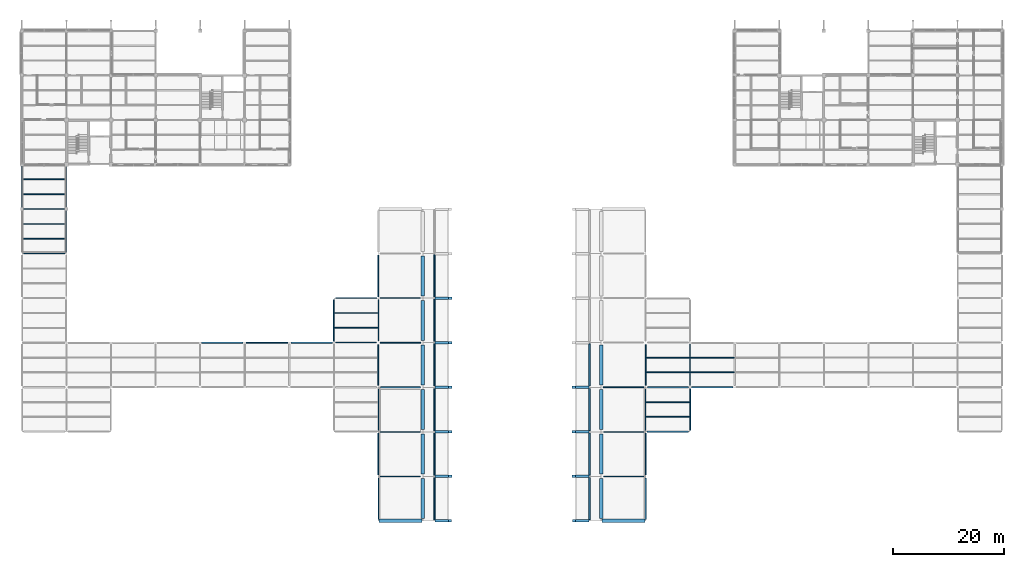
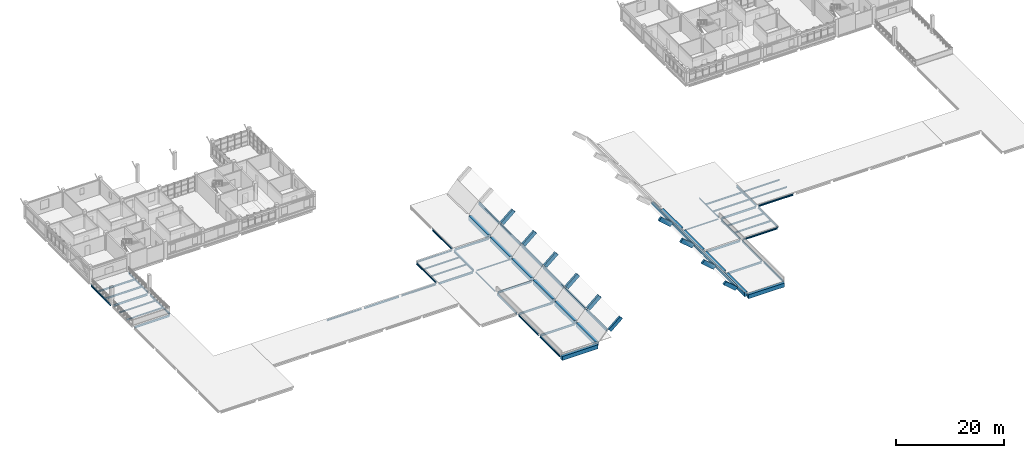
# One storey, part 2 of 35: 78 beams.
"""IFC4 building model written with IfcOpenShell, lengths in metres."""

import ifcopenshell
import ifcopenshell.guid

model = None  # the IFC model being written
_history = None  # IfcOwnerHistory: only IFC2X3 demands one
_inside = {}  # id of a spatial element -> (the spatial element, [elements in it])
_under = {}  # id of a project, library or spatial element -> (it, [spatial elements below it])
_declared = {}  # id of a project -> (the project, [libraries it declares])
_typed = {}  # id of a type object -> (the type object, [elements of that type])
_made_of = {}  # id of a material, layer set ... -> (it, [elements and type objects made of it])


def new_model(schema):
    """Start an empty IFC model of exactly this schema.

    Asked for "IFC4X3", IfcOpenShell would pick the latest addendum, in which some entities
    have other attributes; the version numbers below select the first issue.
    IFC2X3 requires an IfcOwnerHistory on every rooted entity: one is made here for all.
    """
    global model, _history
    if schema == "IFC4X3":
        model = ifcopenshell.file(schema_version=(4, 3, 0, 0))
    else:
        model = ifcopenshell.file(schema=schema)
    _inside.clear()
    _under.clear()
    _declared.clear()
    _typed.clear()
    _made_of.clear()
    _history = None
    if model.schema == "IFC2X3":
        org = make("IfcOrganization", Name="unknown")
        user = make(
            "IfcPersonAndOrganization",
            ThePerson=make("IfcPerson", FamilyName="unknown"),
            TheOrganization=org,
        )
        app = make(
            "IfcApplication",
            ApplicationDeveloper=org,
            Version="unknown",
            ApplicationFullName="unknown",
            ApplicationIdentifier="unknown",
        )
        _history = make(
            "IfcOwnerHistory",
            OwningUser=user,
            OwningApplication=app,
            ChangeAction="ADDED",
            CreationDate=0,
        )
    return model


def make(cls, **values):
    """One entity of the class cls with the attributes given. An attribute that is None is left unset."""
    return model.create_entity(
        cls, **{name: value for name, value in values.items() if value is not None}
    )


def rooted(cls, **values):
    """An entity with a GlobalId (a new one), such as an element, a storey or a relation."""
    return make(cls, GlobalId=ifcopenshell.guid.new(), OwnerHistory=_history, **values)


def si_unit(unit_type, name, prefix=None):
    """IfcSIUnit, for example si_unit("LENGTHUNIT", "METRE", prefix="MILLI")."""
    return make("IfcSIUnit", UnitType=unit_type, Prefix=prefix, Name=name)


def derived_unit(unit_type, elements):
    """IfcDerivedUnit: a product of units, each with its exponent."""
    return make(
        "IfcDerivedUnit",
        Elements=[
            make("IfcDerivedUnitElement", Unit=unit, Exponent=power)
            for unit, power in elements
        ],
        UnitType=unit_type,
    )


def assignment(units):
    """IfcUnitAssignment: the units of a project."""
    return None if units is None else make("IfcUnitAssignment", Units=units)


def point(xyz):
    """IfcCartesianPoint."""
    return None if xyz is None else make("IfcCartesianPoint", Coordinates=xyz)


def direction(xyz):
    """IfcDirection."""
    return None if xyz is None else make("IfcDirection", DirectionRatios=xyz)


def frame(location, z_axis=None, x_axis=None):
    """IfcAxis2Placement3D, a coordinate frame: its origin and axes. An axis left out is left unset."""
    return make(
        "IfcAxis2Placement3D",
        Location=point(location),
        Axis=direction(z_axis),
        RefDirection=direction(x_axis),
    )


def frame_2d(location, x_axis=None):
    """IfcAxis2Placement2D, a coordinate frame in the plane: its origin and x axis."""
    return make(
        "IfcAxis2Placement2D", Location=point(location), RefDirection=direction(x_axis)
    )


def origin():
    """The frame at (0, 0, 0) with its axes left unset."""
    return frame((0.0, 0.0, 0.0))


def origin_2d():
    """The frame at (0, 0) in the plane with its x axis left unset."""
    return frame_2d((0.0, 0.0))


def place(relative_to, where):
    """IfcLocalPlacement: puts the frame where relative to a parent placement (None: the world)."""
    return make(
        "IfcLocalPlacement", PlacementRelTo=relative_to, RelativePlacement=where
    )


def context(
    kind, dimensions, precision=None, world=None, true_north=None, identifier=None
):
    """IfcGeometricRepresentationContext, for example the 3D "Model" context."""
    return make(
        "IfcGeometricRepresentationContext",
        ContextIdentifier=identifier,
        ContextType=kind,
        CoordinateSpaceDimension=dimensions,
        Precision=precision,
        WorldCoordinateSystem=world,
        TrueNorth=true_north,
    )


def subcontext(parent, identifier, kind, view, scale=None):
    """IfcGeometricRepresentationSubContext, for example "Body" below "Model"."""
    return make(
        "IfcGeometricRepresentationSubContext",
        ContextIdentifier=identifier,
        ContextType=kind,
        ParentContext=parent,
        TargetScale=scale,
        TargetView=view,
    )


def project(units=None, contexts=None):
    """IfcProject with its units and contexts."""
    return rooted(
        "IfcProject",
        Name="project",
        RepresentationContexts=contexts,
        UnitsInContext=assignment(units),
    )


def spatial(cls, under=None, at=None, **own):
    """A site, building, storey or space (cls), placed at a placement, below another one or the project."""
    s = rooted(cls, ObjectPlacement=at, **own)
    if under is not None:
        _under.setdefault(under.id(), (under, []))[1].append(s)
    return s


def profile(cls, at=None, kind="AREA", **sizes):
    """A parametric profile (cls). Its sizes go by their IFC names, for example OverallWidth=200.0."""
    return make(cls, ProfileType=kind, Position=at, **sizes)


def rectangle(**sizes):
    """IfcRectangleProfileDef."""
    return profile("IfcRectangleProfileDef", **sizes)


def i_section(**sizes):
    """IfcIShapeProfileDef."""
    return profile("IfcIShapeProfileDef", **sizes)


def extrude(swept, where, along, depth):
    """IfcExtrudedAreaSolid: the profile swept, set in the frame where, extruded along a direction by depth."""
    return make(
        "IfcExtrudedAreaSolid",
        SweptArea=swept,
        Position=where,
        ExtrudedDirection=direction(along),
        Depth=depth,
    )


def shape(context_of_items, identifier, shape_type, items):
    """IfcShapeRepresentation: the items that make up one representation, for example the "Body"."""
    return make(
        "IfcShapeRepresentation",
        ContextOfItems=context_of_items,
        RepresentationIdentifier=identifier,
        RepresentationType=shape_type,
        Items=items,
    )


def material(Name=None, Category=None):
    """IfcMaterial."""
    return make("IfcMaterial", Name=Name, Category=Category)


def material_profile(
    of_material, cross_section, Name=None, Category=None, Priority=None
):
    """IfcMaterialProfile: a cross section and its material."""
    return make(
        "IfcMaterialProfile",
        Name=Name,
        Material=of_material,
        Profile=cross_section,
        Priority=Priority,
        Category=Category,
    )


def profile_set(profiles, Name=None, composite=None):
    """IfcMaterialProfileSet."""
    return make(
        "IfcMaterialProfileSet",
        Name=Name,
        MaterialProfiles=profiles,
        CompositeProfile=composite,
    )


def made_of(thing, what):
    """Note that an element or type object is made of a material, layer set ...; save() writes the relation."""
    if what is not None:
        _made_of.setdefault(what.id(), (what, []))[1].append(thing)
    return thing


def type_object(cls, material=None, **own):
    """A type object (cls), such as IfcWallType, which elements share."""
    return made_of(rooted(cls, **own), material)


def element(
    cls,
    number,
    at=None,
    inside=None,
    cuts=None,
    type_object=None,
    material=None,
    context=None,
    identifier="Body",
    shape_type=None,
    held_by="IfcProductDefinitionShape",
    body=None,
    shapes=None,
    **own,
):
    """One element of the class cls, such as IfcWall. Its Tag is "e" and its number.

    at: its placement. inside: the storey or other place that contains it. cuts: it is an
    opening in that element (IfcRelVoidsElement). A single representation is given by context,
    identifier, shape_type and body (its items); several are given by shapes. held_by: the class
    of the entity that holds the representations. save() writes the other relations.
    """
    e = rooted(cls, Tag="e%d" % number, ObjectPlacement=at, **own)
    if body is not None:
        shapes = [shape(context, identifier, shape_type, body)]
    if shapes is not None:
        e.Representation = make(held_by, Representations=shapes)
    if inside is not None:
        _inside.setdefault(inside.id(), (inside, []))[1].append(e)
    if cuts is not None:
        rooted(
            "IfcRelVoidsElement", RelatingBuildingElement=cuts, RelatedOpeningElement=e
        )
    if type_object is not None:
        _typed.setdefault(type_object.id(), (type_object, []))[1].append(e)
    return made_of(e, material)


def aggregate(whole, parts):
    """IfcRelAggregates: a whole, such as a stair, and the parts it consists of."""
    return rooted("IfcRelAggregates", RelatingObject=whole, RelatedObjects=parts)


def save(model, path):
    """Write the relations noted so far, then the file.

    IfcRelAggregates (storeys below a building ...), IfcRelContainedInSpatialStructure (elements
    in a storey), IfcRelDefinesByType, IfcRelAssociatesMaterial and IfcRelDeclares: one each for
    every whole, place, type object, material and project.
    """
    for whole, parts in _under.values():
        aggregate(whole, parts)
    for where, things in _inside.values():
        rooted(
            "IfcRelContainedInSpatialStructure",
            RelatedElements=things,
            RelatingStructure=where,
        )
    for kind, things in _typed.values():
        rooted("IfcRelDefinesByType", RelatedObjects=things, RelatingType=kind)
    for what, things in _made_of.values():
        rooted("IfcRelAssociatesMaterial", RelatedObjects=things, RelatingMaterial=what)
    for by, libraries in _declared.values():
        rooted("IfcRelDeclares", RelatingContext=by, RelatedDefinitions=libraries)
    model.write(path)


model = new_model("IFC4")

# Units and contexts
model_context = context("Model", 3, precision=1e-05, world=origin(), true_north=direction((0.0, 1.0)))
body_context = subcontext(model_context, "Body", "Model", "MODEL_VIEW")
ifc_project = project(units=[si_unit("LENGTHUNIT", "METRE"), si_unit("AREAUNIT", "SQUARE_METRE"), si_unit("VOLUMEUNIT", "CUBIC_METRE"), si_unit("PLANEANGLEUNIT", "RADIAN"), si_unit("MASSUNIT", "GRAM", prefix="KILO"), derived_unit("THERMALTRANSMITTANCEUNIT", [(si_unit("MASSUNIT", "GRAM", prefix="KILO"), 1), (si_unit("TIMEUNIT", "SECOND"), -3), (si_unit("THERMODYNAMICTEMPERATUREUNIT", "KELVIN"), -1)])], contexts=[model_context])

# Site, building, storey
site_placement = place(None, origin())
site = spatial("IfcSite", under=ifc_project, at=site_placement, CompositionType="ELEMENT")
building_placement = place(site_placement, origin())
building = spatial("IfcBuilding", under=site, at=building_placement, Name="Veyamyaing Civic Hall", CompositionType="ELEMENT")
storey_placement = place(building_placement, frame((0.0, 0.0, 21.780029296875)))
storey = spatial("IfcBuildingStorey", under=building, at=storey_placement, Name="L05", CompositionType="ELEMENT", Elevation=21.780029296875)

# Beams
ifc_material_1 = material(Name="Steel ASTM A992", Category="steel")
ifc_material_profile_1 = material_profile(ifc_material_1, i_section(OverallWidth=0.19189453125, OverallDepth=0.462890625, WebThickness=0.010498046875, FlangeThickness=0.017578125, FilletRadius=0.010009765625, at=origin_2d()), Name="W460X89")
ifc_profile_set_1 = profile_set([ifc_material_profile_1], Name="Steel ASTM A992")
beam_type_1 = type_object("IfcBeamType", Name="B-08", PredefinedType="BEAM", material=ifc_profile_set_1)
beam_1_placement = place(storey_placement, frame((64.27490234375, 32.0, -0.4814453125), z_axis=(1.0, 0.0, 0.0), x_axis=(0.0, 1.0, 0.0)))
element("IfcBeam", 1, at=beam_1_placement, inside=storey, type_object=beam_type_1, Name="Girder B-08 L05 Grid E 9-10", PredefinedType="BEAM", context=body_context, shape_type="SweptSolid", body=[
    extrude(i_section(OverallWidth=0.19189453125, OverallDepth=0.462890625, WebThickness=0.010498046875, FlangeThickness=0.017578125, FilletRadius=0.010009765625, at=origin_2d()), origin(), (0.0, 0.0, 1.0), 7.3251953125),
])
beam_2_placement = place(storey_placement, frame((112.35009765625, 48.0, -0.4814453125), z_axis=(1.0, 0.0, 0.0), x_axis=(0.0, 1.0, 0.0)))
element("IfcBeam", 2, at=beam_2_placement, inside=storey, type_object=beam_type_1, Name="Girder B-08 L05 Grid G 15-16", PredefinedType="BEAM", context=body_context, shape_type="SweptSolid", body=[
    extrude(i_section(OverallWidth=0.19189453125, OverallDepth=0.462890625, WebThickness=0.010498046875, FlangeThickness=0.017578125, FilletRadius=0.010009765625, at=origin_2d()), origin(), (0.0, 0.0, 1.0), 7.375),
])
beam_3_placement = place(storey_placement, frame((64.27490234375, 64.0, -0.4814453125), z_axis=(1.0, 0.0, 0.0), x_axis=(0.0, 1.0, 0.0)))
element("IfcBeam", 3, at=beam_3_placement, inside=storey, type_object=beam_type_1, Name="Girder B-08 L05 Grid J 9-10", PredefinedType="BEAM", context=body_context, shape_type="SweptSolid", body=[
    extrude(i_section(OverallWidth=0.19189453125, OverallDepth=0.462890625, WebThickness=0.010498046875, FlangeThickness=0.017578125, FilletRadius=0.010009765625, at=origin_2d()), origin(), (0.0, 0.0, 1.0), 7.3251953125),
])
beam_4_placement = place(storey_placement, frame((64.0, 56.35009765625, -0.4814453125), z_axis=(0.0, 1.0, 0.0), x_axis=(-1.0, 0.0, 0.0)))
element("IfcBeam", 4, at=beam_4_placement, inside=storey, type_object=beam_type_1, Name="Girder B-08 L05 Grid 9 H-J", PredefinedType="BEAM", context=body_context, shape_type="SweptSolid", body=[
    extrude(i_section(OverallWidth=0.19189453125, OverallDepth=0.462890625, WebThickness=0.010498046875, FlangeThickness=0.017578125, FilletRadius=0.010009765625, at=origin_2d()), origin(), (0.0, 0.0, 1.0), 7.375),
])
beam_5_placement = place(storey_placement, frame((120.0, 48.27490234375, -0.4814453125), z_axis=(0.0, 1.0, 0.0), x_axis=(-1.0, 0.0, 0.0)))
element("IfcBeam", 5, at=beam_5_placement, inside=storey, type_object=beam_type_1, Name="Girder B-08 L05 Grid 16 G-H", PredefinedType="BEAM", context=body_context, shape_type="SweptSolid", body=[
    extrude(i_section(OverallWidth=0.19189453125, OverallDepth=0.462890625, WebThickness=0.010498046875, FlangeThickness=0.017578125, FilletRadius=0.010009765625, at=origin_2d()), origin(), (0.0, 0.0, 1.0), 7.4501953125),
])
ifc_material_profile_2 = material_profile(ifc_material_1, i_section(OverallWidth=0.18994140625, OverallDepth=0.45703125, WebThickness=0.009033203125, FlangeThickness=0.014404296875, FilletRadius=0.010009765625, at=origin_2d()), Name="W460X74")
ifc_profile_set_2 = profile_set([ifc_material_profile_2], Name="Steel ASTM A992")
beam_type_2 = type_object("IfcBeamType", Name="B-09", PredefinedType="BEAM", material=ifc_profile_set_2)
for number, where, z_axis, x_axis, name in (
    (6, (104.39990234375, 32.0, -0.478515625), (1.0, 0.0, 0.0), (0.0, 1.0, 0.0), "Girder B-09 L05 Grid E 14-15"),
    (7, (64.27490234375, 40.0, -0.478515625), (1.0, 0.0, 0.0), (0.0, 1.0, 0.0), "Girder B-09 L05 Grid F 9-10"),
):
    element("IfcBeam", number, at=place(storey_placement, frame(where, z_axis=z_axis, x_axis=x_axis)), inside=storey, type_object=beam_type_2, Name=name, PredefinedType="BEAM", context=body_context, shape_type="SweptSolid", body=[
        extrude(i_section(OverallWidth=0.18994140625, OverallDepth=0.45703125, WebThickness=0.009033203125, FlangeThickness=0.014404296875, FilletRadius=0.010009765625, at=origin_2d()), origin(), (0.0, 0.0, 1.0), 7.3251953125),
    ])
beam_6_placement = place(storey_placement, frame((0.27490234375, 72.0, -0.478515625), z_axis=(1.0, 0.0, 0.0), x_axis=(0.0, 1.0, 0.0)))
element("IfcBeam", 8, at=beam_6_placement, inside=storey, type_object=beam_type_2, Name="Girder B-09 L05 Grid K 1-2", PredefinedType="BEAM", context=body_context, shape_type="SweptSolid", body=[
    extrude(i_section(OverallWidth=0.18994140625, OverallDepth=0.45703125, WebThickness=0.009033203125, FlangeThickness=0.014404296875, FilletRadius=0.010009765625, at=origin_2d()), origin(), (0.0, 0.0, 1.0), 7.4501953125),
])
for number, where, z_axis, x_axis, name in (
    (9, (64.0, 40.27490234375, -0.478515625), (0.0, 1.0, 0.0), (-1.0, 0.0, 0.0), "Girder B-09 L05 Grid 9 F-G"),
    (10, (112.0, 40.27490234375, -0.478515625), (0.0, 1.0, 0.0), (-1.0, 0.0, 0.0), "Girder B-09 L05 Grid 15 F-G"),
):
    element("IfcBeam", number, at=place(storey_placement, frame(where, z_axis=z_axis, x_axis=x_axis)), inside=storey, type_object=beam_type_2, Name=name, PredefinedType="BEAM", context=body_context, shape_type="SweptSolid", body=[
        extrude(i_section(OverallWidth=0.18994140625, OverallDepth=0.45703125, WebThickness=0.009033203125, FlangeThickness=0.014404296875, FilletRadius=0.010009765625, at=origin_2d()), origin(), (0.0, 0.0, 1.0), 7.375),
    ])
ifc_material_profile_3 = material_profile(ifc_material_1, i_section(OverallWidth=0.179931640625, OverallDepth=0.4130859375, WebThickness=0.009765625, FlangeThickness=0.01611328125, FilletRadius=0.010009765625, at=origin_2d()), Name="W410X74")
ifc_profile_set_3 = profile_set([ifc_material_profile_3], Name="Steel ASTM A992")
beam_type_3 = type_object("IfcBeamType", Name="B-10", PredefinedType="SPANDREL", material=ifc_profile_set_3)
beam_7_placement = place(storey_placement, frame((0.0, 80.324951171875, -0.4365234375), z_axis=(0.0, 1.0, 0.0), x_axis=(-1.0, 0.0, 0.0)))
element("IfcBeam", 11, at=beam_7_placement, inside=storey, type_object=beam_type_3, Name="Girder B-10 L05 Grid 1 L-M", PredefinedType="SPANDREL", context=body_context, shape_type="SweptSolid", body=[
    extrude(i_section(OverallWidth=0.179931640625, OverallDepth=0.4130859375, WebThickness=0.009765625, FlangeThickness=0.01611328125, FilletRadius=0.010009765625, at=origin_2d()), origin(), (0.0, 0.0, 1.0), 7.35009765625),
])
beam_8_placement = place(storey_placement, frame((8.0, 72.27490234375, -0.4365234375), z_axis=(0.0, 1.0, 0.0), x_axis=(-1.0, 0.0, 0.0)))
element("IfcBeam", 12, at=beam_8_placement, inside=storey, type_object=beam_type_3, Name="Girder B-10 L05 Grid 2 K-L", PredefinedType="SPANDREL", context=body_context, shape_type="SweptSolid", body=[
    extrude(i_section(OverallWidth=0.179931640625, OverallDepth=0.4130859375, WebThickness=0.009765625, FlangeThickness=0.01611328125, FilletRadius=0.010009765625, at=origin_2d()), origin(), (0.0, 0.0, 1.0), 7.400146484375),
])
for number, where, z_axis, x_axis, name in (
    (13, (56.0, 56.27490234375, -0.45654296875), (0.0, 1.0, 0.0), (-1.0, 0.0, 0.0), "Girder B-10 L05 Grid 8 H-J"),
    (14, (112.0, 32.27490234375, -0.45654296875), (0.0, 1.0, 0.0), (-1.0, 0.0, 0.0), "Girder B-10 L05 Grid 15 E-F"),
):
    element("IfcBeam", number, at=place(storey_placement, frame(where, z_axis=z_axis, x_axis=x_axis)), inside=storey, type_object=beam_type_3, Name=name, PredefinedType="SPANDREL", context=body_context, shape_type="SweptSolid", body=[
        extrude(i_section(OverallWidth=0.179931640625, OverallDepth=0.4130859375, WebThickness=0.009765625, FlangeThickness=0.01611328125, FilletRadius=0.010009765625, at=origin_2d()), origin(), (0.0, 0.0, 1.0), 7.4501953125),
    ])
ifc_material_profile_4 = material_profile(ifc_material_1, i_section(OverallWidth=0.2041015625, OverallDepth=0.35009765625, WebThickness=0.0078125, FlangeThickness=0.01513671875, FilletRadius=0.010009765625, at=origin_2d()), Name="W360X72")
ifc_profile_set_4 = profile_set([ifc_material_profile_4], Name="Steel ASTM A992")
beam_type_4 = type_object("IfcBeamType", Name="B-11", PredefinedType="SPANDREL", material=ifc_profile_set_4)
for number, where, z_axis, x_axis, name in (
    (15, (112.27490234375, 40.0, -0.425048828125), (1.0, 0.0, 0.0), (0.0, 1.0, 0.0), "Girder B-11 L05 Grid F 15-16"),
    (16, (32.27490234375, 56.0, -0.425048828125), (1.0, 0.0, 0.0), (0.0, 1.0, 0.0), "Girder B-11 L05 Grid H 5-6"),
    (17, (56.27490234375, 64.0, -0.425048828125), (1.0, 0.0, 0.0), (0.0, 1.0, 0.0), "Girder B-11 L05 Grid J 8-9"),
):
    element("IfcBeam", number, at=place(storey_placement, frame(where, z_axis=z_axis, x_axis=x_axis)), inside=storey, type_object=beam_type_4, Name=name, PredefinedType="SPANDREL", context=body_context, shape_type="SweptSolid", body=[
        extrude(i_section(OverallWidth=0.2041015625, OverallDepth=0.35009765625, WebThickness=0.0078125, FlangeThickness=0.01513671875, FilletRadius=0.010009765625, at=origin_2d()), origin(), (0.0, 0.0, 1.0), 7.4501953125),
    ])
beam_9_placement = place(storey_placement, frame((8.0, 80.324951171875, -0.405029296875), z_axis=(0.0, 1.0, 0.0), x_axis=(-1.0, 0.0, 0.0)))
element("IfcBeam", 18, at=beam_9_placement, inside=storey, type_object=beam_type_4, Name="Girder B-11 L05 Grid 2 L-M", PredefinedType="SPANDREL", context=body_context, shape_type="SweptSolid", body=[
    extrude(i_section(OverallWidth=0.2041015625, OverallDepth=0.35009765625, WebThickness=0.0078125, FlangeThickness=0.01513671875, FilletRadius=0.010009765625, at=origin_2d()), origin(), (0.0, 0.0, 1.0), 7.324951171875),
])
beam_10_placement = place(storey_placement, frame((64.0, 24.27490234375, -0.425048828125), z_axis=(0.0, 1.0, 0.0), x_axis=(-1.0, 0.0, 0.0)))
element("IfcBeam", 19, at=beam_10_placement, inside=storey, type_object=beam_type_4, Name="Girder B-11 L05 Grid 9 D-E", PredefinedType="SPANDREL", context=body_context, shape_type="SweptSolid", body=[
    extrude(i_section(OverallWidth=0.2041015625, OverallDepth=0.35009765625, WebThickness=0.0078125, FlangeThickness=0.01513671875, FilletRadius=0.010009765625, at=origin_2d()), origin(), (0.0, 0.0, 1.0), 7.4501953125),
])
ifc_material_profile_5 = material_profile(ifc_material_1, i_section(OverallWidth=0.14599609375, OverallDepth=0.258056640625, WebThickness=0.006103515625, FlangeThickness=0.009033203125, FilletRadius=0.010009765625, at=origin_2d()), Name="W250X33")
ifc_profile_set_5 = profile_set([ifc_material_profile_5], Name="Steel ASTM A992")
beam_type_5 = type_object("IfcBeamType", Name="B-12", PredefinedType="BEAM", material=ifc_profile_set_5)
for number, where, z_axis, x_axis, name in (
    (20, (104.39990234375, 48.0, -0.379150390625), (1.0, 0.0, 0.0), (0.0, 1.0, 0.0), "Girder B-12 L05 Grid G 14-15"),
    (21, (64.35009765625, 56.0, -0.379150390625), (1.0, 0.0, 0.0), (0.0, 1.0, 0.0), "Girder B-12 L05 Grid H 9-10"),
):
    element("IfcBeam", number, at=place(storey_placement, frame(where, z_axis=z_axis, x_axis=x_axis)), inside=storey, type_object=beam_type_5, Name=name, PredefinedType="BEAM", context=body_context, shape_type="SweptSolid", body=[
        extrude(i_section(OverallWidth=0.14599609375, OverallDepth=0.258056640625, WebThickness=0.006103515625, FlangeThickness=0.009033203125, FilletRadius=0.010009765625, at=origin_2d()), origin(), (0.0, 0.0, 1.0), 7.25),
    ])
for number, where, z_axis, x_axis, name in (
    (22, (64.0, 48.35009765625, -0.379150390625), (0.0, 1.0, 0.0), (-1.0, 0.0, 0.0), "Girder B-12 L05 Grid 9 G-H"),
    (23, (112.0, 48.35009765625, -0.379150390625), (0.0, 1.0, 0.0), (-1.0, 0.0, 0.0), "Girder B-12 L05 Grid 15 G-H"),
):
    element("IfcBeam", number, at=place(storey_placement, frame(where, z_axis=z_axis, x_axis=x_axis)), inside=storey, type_object=beam_type_5, Name=name, PredefinedType="BEAM", context=body_context, shape_type="SweptSolid", body=[
        extrude(i_section(OverallWidth=0.14599609375, OverallDepth=0.258056640625, WebThickness=0.006103515625, FlangeThickness=0.009033203125, FilletRadius=0.010009765625, at=origin_2d()), origin(), (0.0, 0.0, 1.0), 7.2998046875),
    ])
ifc_material_profile_6 = material_profile(ifc_material_1, i_section(OverallWidth=0.194091796875, OverallDepth=0.468994140625, WebThickness=0.0126953125, FlangeThickness=0.0205078125, FilletRadius=0.010009765625, at=origin_2d()), Name="W460X106")
ifc_profile_set_6 = profile_set([ifc_material_profile_6], Name="Steel ASTM A992")
beam_type_6 = type_object("IfcBeamType", Name="B-18", PredefinedType="BEAM", material=ifc_profile_set_6)
beam_11_placement = place(storey_placement, frame((104.39990234375, 40.0, -0.484619140625), z_axis=(1.0, 0.0, 0.0), x_axis=(0.0, 1.0, 0.0)))
element("IfcBeam", 24, at=beam_11_placement, inside=storey, type_object=beam_type_6, Name="Girder B-18 L05 Grid F 14-15", PredefinedType="BEAM", context=body_context, shape_type="SweptSolid", body=[
    extrude(i_section(OverallWidth=0.194091796875, OverallDepth=0.468994140625, WebThickness=0.0126953125, FlangeThickness=0.0205078125, FilletRadius=0.010009765625, at=origin_2d()), origin(), (0.0, 0.0, 1.0), 7.3251953125),
])
beam_12_placement = place(storey_placement, frame((64.35009765625, 48.0, -0.484619140625), z_axis=(1.0, 0.0, 0.0), x_axis=(0.0, 1.0, 0.0)))
element("IfcBeam", 25, at=beam_12_placement, inside=storey, type_object=beam_type_6, Name="Girder B-18 L05 Grid G 9-10", PredefinedType="BEAM", context=body_context, shape_type="SweptSolid", body=[
    extrude(i_section(OverallWidth=0.194091796875, OverallDepth=0.468994140625, WebThickness=0.0126953125, FlangeThickness=0.0205078125, FilletRadius=0.010009765625, at=origin_2d()), origin(), (0.0, 0.0, 1.0), 7.25),
])
beam_13_placement = place(storey_placement, frame((56.27490234375, 56.0, -0.484619140625), z_axis=(1.0, 0.0, 0.0), x_axis=(0.0, 1.0, 0.0)))
element("IfcBeam", 26, at=beam_13_placement, inside=storey, type_object=beam_type_6, Name="Girder B-18 L05 Grid H 8-9", PredefinedType="BEAM", context=body_context, shape_type="SweptSolid", body=[
    extrude(i_section(OverallWidth=0.194091796875, OverallDepth=0.468994140625, WebThickness=0.0126953125, FlangeThickness=0.0205078125, FilletRadius=0.010009765625, at=origin_2d()), origin(), (0.0, 0.0, 1.0), 7.375),
])
beam_14_placement = place(storey_placement, frame((0.324951171875, 80.0, -0.464599609375), z_axis=(1.0, 0.0, 0.0), x_axis=(0.0, 1.0, 0.0)))
element("IfcBeam", 27, at=beam_14_placement, inside=storey, type_object=beam_type_6, Name="Girder B-18 L05 Grid L 1-2", PredefinedType="BEAM", context=body_context, shape_type="SweptSolid", body=[
    extrude(i_section(OverallWidth=0.194091796875, OverallDepth=0.468994140625, WebThickness=0.0126953125, FlangeThickness=0.0205078125, FilletRadius=0.010009765625, at=origin_2d()), origin(), (0.0, 0.0, 1.0), 7.35009765625),
])
ifc_material_profile_7 = material_profile(ifc_material_1, i_section(OverallWidth=0.180908203125, OverallDepth=0.4169921875, WebThickness=0.010986328125, FlangeThickness=0.018310546875, FilletRadius=0.010009765625, at=origin_2d()), Name="W410X85")
ifc_profile_set_7 = profile_set([ifc_material_profile_7], Name="Steel ASTM A992")
beam_type_7 = type_object("IfcBeamType", Name="B-19", PredefinedType="SPANDREL", material=ifc_profile_set_7)
for number, where, z_axis, x_axis, name in (
    (28, (40.27490234375, 56.0, -0.45849609375), (1.0, 0.0, 0.0), (0.0, 1.0, 0.0), "Girder B-19 L05 Grid H 6-7"),
    (29, (64.0, 32.27490234375, -0.45849609375), (0.0, 1.0, 0.0), (-1.0, 0.0, 0.0), "Girder B-19 L05 Grid 9 E-F"),
    (30, (64.0, 64.27490234375, -0.45849609375), (0.0, 1.0, 0.0), (-1.0, 0.0, 0.0), "Girder B-19 L05 Grid 9 J-K"),
    (31, (120.0, 40.27490234375, -0.45849609375), (0.0, 1.0, 0.0), (-1.0, 0.0, 0.0), "Girder B-19 L05 Grid 16 F-G"),
):
    element("IfcBeam", number, at=place(storey_placement, frame(where, z_axis=z_axis, x_axis=x_axis)), inside=storey, type_object=beam_type_7, Name=name, PredefinedType="SPANDREL", context=body_context, shape_type="SweptSolid", body=[
        extrude(i_section(OverallWidth=0.180908203125, OverallDepth=0.4169921875, WebThickness=0.010986328125, FlangeThickness=0.018310546875, FilletRadius=0.010009765625, at=origin_2d()), origin(), (0.0, 0.0, 1.0), 7.4501953125),
    ])
ifc_material_profile_8 = material_profile(ifc_material_1, i_section(OverallWidth=0.25390625, OverallDepth=0.35302734375, WebThickness=0.009521484375, FlangeThickness=0.016357421875, FilletRadius=0.011962890625, at=origin_2d()), Name="W360X91")
ifc_profile_set_8 = profile_set([ifc_material_profile_8], Name="Steel ASTM A992")
beam_type_8 = type_object("IfcBeamType", Name="B-20", PredefinedType="SPANDREL", material=ifc_profile_set_8)
for number, where, z_axis, x_axis, name in (
    (32, (120.27490234375, 48.0, -0.426513671875), (1.0, 0.0, 0.0), (0.0, 1.0, 0.0), "Girder B-20 L05 Grid G 16-17"),
    (33, (48.27490234375, 56.0, -0.426513671875), (1.0, 0.0, 0.0), (0.0, 1.0, 0.0), "Girder B-20 L05 Grid H 7-8"),
    (34, (112.0, 24.27490234375, -0.426513671875), (0.0, 1.0, 0.0), (-1.0, 0.0, 0.0), "Girder B-20 L05 Grid 15 D-E"),
):
    element("IfcBeam", number, at=place(storey_placement, frame(where, z_axis=z_axis, x_axis=x_axis)), inside=storey, type_object=beam_type_8, Name=name, PredefinedType="SPANDREL", context=body_context, shape_type="SweptSolid", body=[
        extrude(i_section(OverallWidth=0.25390625, OverallDepth=0.35302734375, WebThickness=0.009521484375, FlangeThickness=0.016357421875, FilletRadius=0.011962890625, at=origin_2d()), origin(), (0.0, 0.0, 1.0), 7.4501953125),
    ])
ifc_material_profile_9 = material_profile(ifc_material_1, i_section(OverallWidth=0.177978515625, OverallDepth=0.406982421875, WebThickness=0.0078125, FlangeThickness=0.0126953125, FilletRadius=0.010009765625, at=origin_2d()), Name="W410X60")
ifc_profile_set_9 = profile_set([ifc_material_profile_9], Name="Steel ASTM A992")
beam_type_9 = type_object("IfcBeamType", Name="J-01", PredefinedType="JOIST", material=ifc_profile_set_9)
for number, where, z_axis, x_axis, name in (
    (35, (0.087890625, 82.666748046875, -0.43359375), (1.0, 0.0, 0.0), (0.0, 1.0, 0.0), "Composite floor joist J-01 L05 1.11.1"),
    (36, (0.087890625, 85.333251953125, -0.43359375), (1.0, 0.0, 0.0), (0.0, 1.0, 0.0), "Composite floor joist J-01 L05 1.11.2"),
):
    element("IfcBeam", number, at=place(storey_placement, frame(where, z_axis=z_axis, x_axis=x_axis)), inside=storey, type_object=beam_type_9, Name=name, PredefinedType="JOIST", context=body_context, shape_type="SweptSolid", body=[
        extrude(i_section(OverallWidth=0.177978515625, OverallDepth=0.406982421875, WebThickness=0.0078125, FlangeThickness=0.0126953125, FilletRadius=0.010009765625, at=origin_2d()), origin(), (0.0, 0.0, 1.0), 7.81201171875),
    ])
ifc_material_profile_10 = material_profile(ifc_material_1, i_section(OverallWidth=0.172119140625, OverallDepth=0.35791015625, WebThickness=0.0078125, FlangeThickness=0.01318359375, FilletRadius=0.010009765625, at=origin_2d()), Name="W360X57")
ifc_profile_set_10 = profile_set([ifc_material_profile_10], Name="Steel ASTM A992")
beam_type_10 = type_object("IfcBeamType", Name="J-02", PredefinedType="JOIST", material=ifc_profile_set_10)
for number, where, z_axis, x_axis, name in (
    (37, (112.093017578125, 42.666748046875, -0.428955078125), (1.0, 0.0, 0.0), (0.0, 1.0, 0.0), "Composite floor joist J-02 L05 15.6.1"),
    (38, (112.093017578125, 45.333251953125, -0.428955078125), (1.0, 0.0, 0.0), (0.0, 1.0, 0.0), "Composite floor joist J-02 L05 15.6.2"),
):
    element("IfcBeam", number, at=place(storey_placement, frame(where, z_axis=z_axis, x_axis=x_axis)), inside=storey, type_object=beam_type_10, Name=name, PredefinedType="JOIST", context=body_context, shape_type="SweptSolid", body=[
        extrude(i_section(OverallWidth=0.172119140625, OverallDepth=0.35791015625, WebThickness=0.0078125, FlangeThickness=0.01318359375, FilletRadius=0.010009765625, at=origin_2d()), origin(), (0.0, 0.0, 1.0), 7.818603515625),
    ])
ifc_material_profile_11 = material_profile(ifc_material_1, i_section(OverallWidth=0.1708984375, OverallDepth=0.35205078125, WebThickness=0.0068359375, FlangeThickness=0.009765625, FilletRadius=0.010009765625, at=origin_2d()), Name="W360X44")
ifc_profile_set_11 = profile_set([ifc_material_profile_11], Name="Steel ASTM A992")
beam_type_11 = type_object("IfcBeamType", Name="J-03", PredefinedType="JOIST", material=ifc_profile_set_11)
for number, where, z_axis, x_axis, name in (
    (39, (112.071044921875, 50.666748046875, -0.426025390625), (1.0, 0.0, 0.0), (0.0, 1.0, 0.0), "Composite floor joist J-03 L05 15.7.1"),
    (40, (112.071044921875, 53.333251953125, -0.426025390625), (1.0, 0.0, 0.0), (0.0, 1.0, 0.0), "Composite floor joist J-03 L05 15.7.2"),
):
    element("IfcBeam", number, at=place(storey_placement, frame(where, z_axis=z_axis, x_axis=x_axis)), inside=storey, type_object=beam_type_11, Name=name, PredefinedType="JOIST", context=body_context, shape_type="SweptSolid", body=[
        extrude(i_section(OverallWidth=0.1708984375, OverallDepth=0.35205078125, WebThickness=0.0068359375, FlangeThickness=0.009765625, FilletRadius=0.010009765625, at=origin_2d()), origin(), (0.0, 0.0, 1.0), 7.8349609375),
    ])
ifc_material_profile_12 = material_profile(ifc_material_1, i_section(OverallWidth=0.1669921875, OverallDepth=0.318115234375, WebThickness=0.007568359375, FlangeThickness=0.01318359375, FilletRadius=0.010009765625, at=origin_2d()), Name="W310X52")
ifc_profile_set_12 = profile_set([ifc_material_profile_12], Name="Steel ASTM A992")
beam_type_12 = type_object("IfcBeamType", Name="J-04", PredefinedType="JOIST", material=ifc_profile_set_12)
for number, where, z_axis, x_axis, name in (
    (41, (120.093994140625, 50.666748046875, -0.408935546875), (1.0, 0.0, 0.0), (0.0, 1.0, 0.0), "Composite floor joist J-04 L05 16.7.1"),
    (42, (120.093994140625, 53.333251953125, -0.408935546875), (1.0, 0.0, 0.0), (0.0, 1.0, 0.0), "Composite floor joist J-04 L05 16.7.2"),
):
    element("IfcBeam", number, at=place(storey_placement, frame(where, z_axis=z_axis, x_axis=x_axis)), inside=storey, type_object=beam_type_12, Name=name, PredefinedType="JOIST", context=body_context, shape_type="SweptSolid", body=[
        extrude(i_section(OverallWidth=0.1669921875, OverallDepth=0.318115234375, WebThickness=0.007568359375, FlangeThickness=0.01318359375, FilletRadius=0.010009765625, at=origin_2d()), origin(), (0.0, 0.0, 1.0), 7.81298828125),
    ])
ifc_material_profile_13 = material_profile(ifc_material_1, i_section(OverallWidth=0.1650390625, OverallDepth=0.31005859375, WebThickness=0.005859375, FlangeThickness=0.009765625, FilletRadius=0.010009765625, at=origin_2d()), Name="W310X39")
ifc_profile_set_13 = profile_set([ifc_material_profile_13], Name="Steel ASTM A992")
beam_type_13 = type_object("IfcBeamType", Name="J-05", PredefinedType="JOIST", material=ifc_profile_set_13)
for number, where, z_axis, x_axis, name in (
    (43, (56.087890625, 58.666748046875, -0.405029296875), (1.0, 0.0, 0.0), (0.0, 1.0, 0.0), "Composite floor joist J-05 L05 8.8.1"),
    (44, (56.087890625, 61.333251953125, -0.405029296875), (1.0, 0.0, 0.0), (0.0, 1.0, 0.0), "Composite floor joist J-05 L05 8.8.2"),
):
    element("IfcBeam", number, at=place(storey_placement, frame(where, z_axis=z_axis, x_axis=x_axis)), inside=storey, type_object=beam_type_13, Name=name, PredefinedType="JOIST", context=body_context, shape_type="SweptSolid", body=[
        extrude(i_section(OverallWidth=0.1650390625, OverallDepth=0.31005859375, WebThickness=0.005859375, FlangeThickness=0.009765625, FilletRadius=0.010009765625, at=origin_2d()), origin(), (0.0, 0.0, 1.0), 7.818115234375),
    ])
ifc_material_profile_14 = material_profile(ifc_material_1, i_section(OverallWidth=0.133056640625, OverallDepth=0.20703125, WebThickness=0.005859375, FlangeThickness=0.00830078125, FilletRadius=0.010009765625, at=origin_2d()), Name="W200X27")
ifc_profile_set_14 = profile_set([ifc_material_profile_14], Name="Steel ASTM A992")
beam_type_14 = type_object("IfcBeamType", Name="J-08", PredefinedType="JOIST", material=ifc_profile_set_14)
for number, where, z_axis, x_axis, name in (
    (45, (0.125, 74.666748046875, -0.33349609375), (1.0, 0.0, 0.0), (0.0, 1.0, 0.0), "Composite floor joist J-08 L05 1.10.1"),
    (46, (0.125, 77.333251953125, -0.33349609375), (1.0, 0.0, 0.0), (0.0, 1.0, 0.0), "Composite floor joist J-08 L05 1.10.2"),
):
    element("IfcBeam", number, at=place(storey_placement, frame(where, z_axis=z_axis, x_axis=x_axis)), inside=storey, type_object=beam_type_14, Name=name, PredefinedType="JOIST", context=body_context, shape_type="SweptSolid", body=[
        extrude(i_section(OverallWidth=0.133056640625, OverallDepth=0.20703125, WebThickness=0.005859375, FlangeThickness=0.00830078125, FilletRadius=0.010009765625, at=origin_2d()), origin(), (0.0, 0.0, 1.0), 7.787109375),
    ])
ifc_material_2 = material(Name="Concrete C40/50", Category="concrete")
ifc_material_profile_15 = material_profile(ifc_material_2, rectangle(XDim=0.64990234375, YDim=0.949951171875, at=origin_2d()), Name="RC-RING-650X950")
ifc_profile_set_15 = profile_set([ifc_material_profile_15], Name="Concrete C40/50")
beam_type_15 = type_object("IfcBeamType", Name="RB-01", PredefinedType="BEAM", material=ifc_profile_set_15)
for number, where, z_axis, x_axis, name in (
    (47, (72.0, 24.39990234375, -0.47509765625), (0.0, 1.0, 0.0), (-1.0, 0.0, 0.0), "Council Chamber Vault Springing Ring Beam RB-01 W.1"),
    (48, (72.0, 32.39990234375, -0.47509765625), (0.0, 1.0, 0.0), (-1.0, 0.0, 0.0), "Council Chamber Vault Springing Ring Beam RB-01 W.2"),
    (49, (72.0, 40.39990234375, -0.47509765625), (0.0, 1.0, 0.0), (-1.0, 0.0, 0.0), "Council Chamber Vault Springing Ring Beam RB-01 W.3"),
    (50, (72.0, 48.39990234375, -0.47509765625), (0.0, 1.0, 0.0), (-1.0, 0.0, 0.0), "Council Chamber Vault Springing Ring Beam RB-01 W.4"),
    (51, (72.0, 56.39990234375, -0.47509765625), (0.0, 1.0, 0.0), (-1.0, 0.0, 0.0), "Council Chamber Vault Springing Ring Beam RB-01 W.5"),
    (52, (72.0, 64.39990234375, -0.47509765625), (0.0, 1.0, 0.0), (-1.0, 0.0, 0.0), "Council Chamber Vault Springing Ring Beam RB-01 W.6"),
    (53, (104.0, 24.39990234375, -0.47509765625), (0.0, 1.0, 0.0), (-1.0, 0.0, 0.0), "Council Chamber Vault Springing Ring Beam RB-01 E.1"),
    (54, (104.0, 32.39990234375, -0.47509765625), (0.0, 1.0, 0.0), (-1.0, 0.0, 0.0), "Council Chamber Vault Springing Ring Beam RB-01 E.2"),
    (55, (104.0, 40.39990234375, -0.47509765625), (0.0, 1.0, 0.0), (-1.0, 0.0, 0.0), "Council Chamber Vault Springing Ring Beam RB-01 E.3"),
    (56, (104.0, 48.39990234375, -0.47509765625), (0.0, 1.0, 0.0), (-1.0, 0.0, 0.0), "Council Chamber Vault Springing Ring Beam RB-01 E.4"),
):
    element("IfcBeam", number, at=place(storey_placement, frame(where, z_axis=z_axis, x_axis=x_axis)), inside=storey, type_object=beam_type_15, Name=name, PredefinedType="BEAM", context=body_context, shape_type="SweptSolid", body=[
        extrude(rectangle(XDim=0.64990234375, YDim=0.949951171875, at=origin_2d()), origin(), (0.0, 0.0, 1.0), 7.2001953125),
    ])
ifc_material_profile_16 = material_profile(ifc_material_2, rectangle(XDim=0.60009765625, YDim=0.89990234375, at=origin_2d()), Name="RC-GABLE-600X900")
ifc_profile_set_16 = profile_set([ifc_material_profile_16], Name="Concrete C40/50")
beam_type_16 = type_object("IfcBeamType", Name="RB-02", PredefinedType="BEAM", material=ifc_profile_set_16)
for number, where, z_axis, x_axis, name in (
    (57, (64.14990234375, 24.0, -0.68505859375), (1.0, 0.0, 0.0), (0.0, 1.0, 0.0), "Vault buttress tie beam RB-02 3.8"),
    (58, (104.14990234375, 24.0, -0.68505859375), (1.0, 0.0, 0.0), (0.0, 1.0, 0.0), "Vault buttress tie beam RB-02 3.13"),
):
    element("IfcBeam", number, at=place(storey_placement, frame(where, z_axis=z_axis, x_axis=x_axis)), inside=storey, type_object=beam_type_16, Name=name, PredefinedType="BEAM", context=body_context, shape_type="SweptSolid", body=[
        extrude(rectangle(XDim=0.60009765625, YDim=0.89990234375, at=origin_2d()), origin(), (0.0, 0.0, 1.0), 7.7001953125),
    ])
ifc_material_profile_17 = material_profile(ifc_material_2, rectangle(XDim=0.300048828125, YDim=0.550048828125, at=origin_2d()), Name="RC-COFF-300X550")
ifc_profile_set_17 = profile_set([ifc_material_profile_17], Name="Concrete C40/50")
beam_type_17 = type_object("IfcBeamType", Name="VC-01", PredefinedType="BEAM", material=ifc_profile_set_17)
for number, where, z_axis, x_axis, name in (
    (59, (74.056640625, 24.22998046875, 1.984375), (0.0, 1.0, 0.0), (-1.0, 0.0, 0.0), "Council Chamber Vault Coffer Rib VC-01 S1.B1"),
    (60, (74.056640625, 32.22998046875, 1.984375), (0.0, 1.0, 0.0), (-1.0, 0.0, 0.0), "Council Chamber Vault Coffer Rib VC-01 S1.B2"),
    (61, (74.056640625, 40.22998046875, 1.984375), (0.0, 1.0, 0.0), (-1.0, 0.0, 0.0), "Council Chamber Vault Coffer Rib VC-01 S1.B3"),
    (62, (74.056640625, 48.22998046875, 1.984375), (0.0, 1.0, 0.0), (-1.0, 0.0, 0.0), "Council Chamber Vault Coffer Rib VC-01 S1.B4"),
    (63, (74.056640625, 56.22998046875, 1.984375), (0.0, 1.0, 0.0), (-1.0, 0.0, 0.0), "Council Chamber Vault Coffer Rib VC-01 S1.B5"),
    (64, (74.056640625, 64.22998046875, 1.984375), (0.0, 1.0, 0.0), (-1.0, 0.0, 0.0), "Council Chamber Vault Coffer Rib VC-01 S1.B6"),
    (65, (101.943359375, 24.22998046875, 1.984375), (0.0, 1.0, 0.0), (-1.0, 0.0, 0.0), "Council Chamber Vault Coffer Rib VC-01 S10.B1"),
    (66, (101.943359375, 32.22998046875, 1.984375), (0.0, 1.0, 0.0), (-1.0, 0.0, 0.0), "Council Chamber Vault Coffer Rib VC-01 S10.B2"),
    (67, (101.943359375, 40.22998046875, 1.984375), (0.0, 1.0, 0.0), (-1.0, 0.0, 0.0), "Council Chamber Vault Coffer Rib VC-01 S10.B3"),
    (68, (101.943359375, 48.22998046875, 1.984375), (0.0, 1.0, 0.0), (-1.0, 0.0, 0.0), "Council Chamber Vault Coffer Rib VC-01 S10.B4"),
):
    element("IfcBeam", number, at=place(storey_placement, frame(where, z_axis=z_axis, x_axis=x_axis)), inside=storey, type_object=beam_type_17, Name=name, PredefinedType="BEAM", context=body_context, shape_type="SweptSolid", body=[
        extrude(rectangle(XDim=0.300048828125, YDim=0.550048828125, at=origin_2d()), origin(), (0.0, 0.0, 1.0), 7.5400390625),
    ])
ifc_material_profile_18 = material_profile(ifc_material_2, rectangle(XDim=0.449951171875, YDim=0.89990234375, at=origin_2d()), Name="RC-ARCH-450X900")
ifc_profile_set_18 = profile_set([ifc_material_profile_18], Name="Concrete C40/50")
beam_type_18 = type_object("IfcBeamType", Name="VR-01", PredefinedType="BEAM", material=ifc_profile_set_18)
for number, where, z_axis, x_axis, name in (
    (69, (74.453369140625, 32.0, 1.9560546875), (0.759722503188, 0.0, 0.650247428407), (0.0, 1.0, 0.0), "Council Chamber Vault Arch Rib VR-01 R2.F2"),
    (70, (99.07470703125, 32.0, 4.07177734375), (0.759722503188, 0.0, -0.650247428407), (0.0, 1.0, 0.0), "Council Chamber Vault Arch Rib VR-01 R2.F10"),
    (71, (74.453369140625, 40.0, 1.9560546875), (0.759722503188, 0.0, 0.650247428407), (0.0, 1.0, 0.0), "Council Chamber Vault Arch Rib VR-01 R3.F2"),
    (72, (99.07470703125, 40.0, 4.07177734375), (0.759722503188, 0.0, -0.650247428407), (0.0, 1.0, 0.0), "Council Chamber Vault Arch Rib VR-01 R3.F10"),
    (73, (74.453369140625, 48.0, 1.9560546875), (0.759722503188, 0.0, 0.650247428407), (0.0, 1.0, 0.0), "Council Chamber Vault Arch Rib VR-01 R4.F2"),
    (74, (99.07470703125, 48.0, 4.07177734375), (0.759722503188, 0.0, -0.650247428407), (0.0, 1.0, 0.0), "Council Chamber Vault Arch Rib VR-01 R4.F10"),
    (75, (74.453369140625, 56.0, 1.9560546875), (0.759722503188, 0.0, 0.650247428407), (0.0, 1.0, 0.0), "Council Chamber Vault Arch Rib VR-01 R5.F2"),
    (76, (74.453369140625, 64.0, 1.9560546875), (0.759722503188, 0.0, 0.650247428407), (0.0, 1.0, 0.0), "Council Chamber Vault Arch Rib VR-01 R6.F2"),
):
    element("IfcBeam", number, at=place(storey_placement, frame(where, z_axis=z_axis, x_axis=x_axis)), inside=storey, type_object=beam_type_18, Name=name, PredefinedType="BEAM", context=body_context, shape_type="SweptSolid", body=[
        extrude(rectangle(XDim=0.449951171875, YDim=0.89990234375, at=origin_2d()), origin(), (0.0, 0.0, 1.0), 3.253662109375),
    ])
ifc_material_profile_19 = material_profile(ifc_material_2, rectangle(XDim=0.449951171875, YDim=0.800048828125, at=origin_2d()), Name="RC-ARCH-450X800")
ifc_profile_set_19 = profile_set([ifc_material_profile_19], Name="Concrete C40/50")
beam_type_19 = type_object("IfcBeamType", Name="VR-02", PredefinedType="BEAM", material=ifc_profile_set_19)
for number, where, z_axis, x_axis, name in (
    (77, (74.4208984375, 24.0, 1.993896484375), (0.759653704705, 0.0, 0.650327801134), (0.0, 1.0, 0.0), "Council Chamber Vault Arch Rib VR-02 R1.F2"),
    (78, (99.107421875, 24.0, 4.10986328125), (0.759653704705, 0.0, -0.650327801134), (0.0, 1.0, 0.0), "Council Chamber Vault Arch Rib VR-02 R1.F10"),
):
    element("IfcBeam", number, at=place(storey_placement, frame(where, z_axis=z_axis, x_axis=x_axis)), inside=storey, type_object=beam_type_19, Name=name, PredefinedType="BEAM", context=body_context, shape_type="SweptSolid", body=[
        extrude(rectangle(XDim=0.449951171875, YDim=0.800048828125, at=origin_2d()), origin(), (0.0, 0.0, 1.0), 3.253662109375),
    ])

save(model, "model.ifc")
